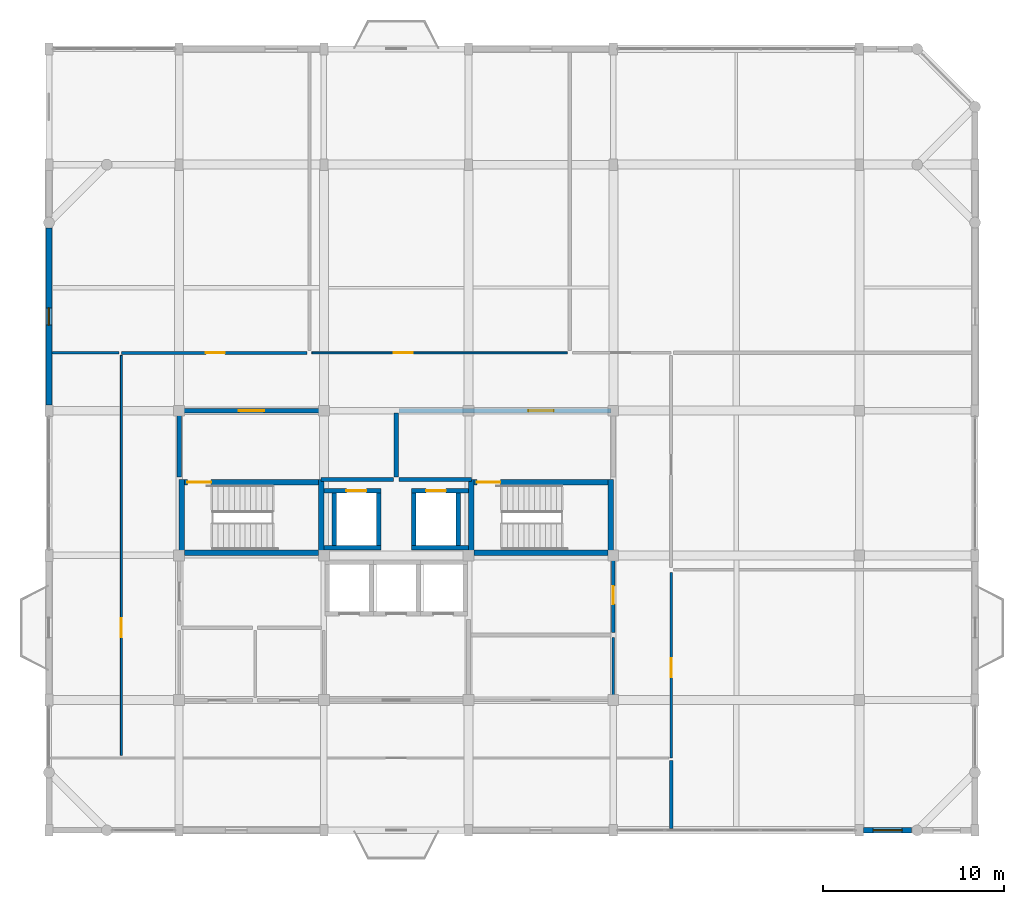
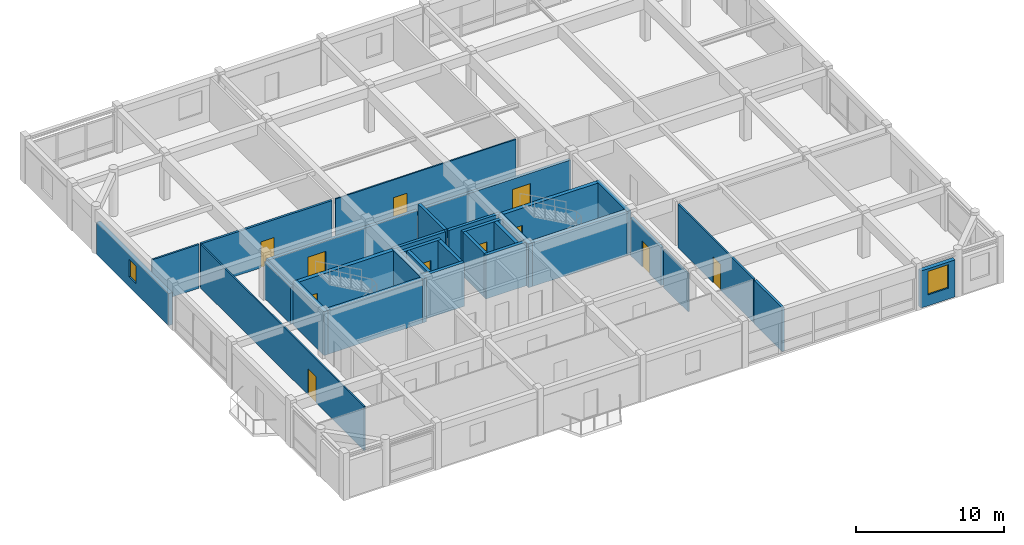
# One storey, part 11 of 13: 32 walls, 11 doors, 2 windows, 13 openings.
"""IFC4 building model written with IfcOpenShell, lengths in metres."""

from ifc_helpers import new_model, si_unit, direction, frame, frame_2d, origin, place, context, subcontext, project, spatial, rectangle, extrude, material, layer, layer_set, type_object, element, fill, save


model = new_model("IFC4")

# Units and contexts
model_context = context("Model", 3, precision=1e-05, world=origin(), true_north=direction((0.0, 1.0)))
body_context = subcontext(model_context, "Body", "Model", "MODEL_VIEW")
ifc_project = project(units=[si_unit("LENGTHUNIT", "METRE"), si_unit("AREAUNIT", "SQUARE_METRE"), si_unit("VOLUMEUNIT", "CUBIC_METRE"), si_unit("PLANEANGLEUNIT", "RADIAN"), si_unit("MASSUNIT", "GRAM", prefix="KILO")], contexts=[model_context])

# Site, building, storey
site_placement = place(None, origin())
site = spatial("IfcSite", under=ifc_project, at=site_placement, CompositionType="ELEMENT")
building_placement = place(site_placement, origin())
building = spatial("IfcBuilding", under=site, at=building_placement, Name="Vellmiral Cinema and Media Centre", CompositionType="ELEMENT")
storey_placement = place(building_placement, frame((0.0, 0.0, 54.800048828125)))
storey = spatial("IfcBuildingStorey", under=building, at=storey_placement, Name="L13", CompositionType="ELEMENT", Elevation=54.800048828125)

# Wall, opening, door
ifc_material_1 = material(Name="Concrete C40/50", Category="concrete")
ifc_layer_1 = layer(ifc_material_1, 0.2099609375, Name="Concrete C40/50")
ifc_layer_set_1 = layer_set([ifc_layer_1], Name="Concrete C40/50")
wall_type_1 = type_object("IfcWallType", Name="WL-COMP-210", PredefinedType="SOLIDWALL", material=ifc_layer_set_1)
wall_1_placement = place(storey_placement, frame((148.0, 82.93994140625, 0.0), z_axis=(0.0, 0.0, 1.0), x_axis=(0.0, 1.0, 0.0)))
wall_1 = element("IfcWall", 1, at=wall_1_placement, inside=storey, type_object=wall_type_1, Name="Data Patch and Riser Room Wall E", PredefinedType="SOLIDWALL", context=body_context, shape_type="SweptSolid", body=[
    extrude(rectangle(XDim=4.1201171875, YDim=0.2099609375, at=frame_2d((2.06005859375, 0.0))), origin(), (0.0, 0.0, 1.0), 3.155029296875),
])
opening_1_placement = place(wall_1_placement, frame((1.56005859375, 0.0, 0.0)))
opening_1 = element("IfcOpeningElement", 2, at=opening_1_placement, cuts=wall_1, Name="Opening D-FD30B", PredefinedType="OPENING", context=body_context, shape_type="SweptSolid", body=[
    extrude(rectangle(XDim=1.0, YDim=2.14990234375, at=frame_2d((0.5, 1.074951171875))), frame((0.0, 0.116943359375, 0.0), z_axis=(0.0, -1.0, 0.0), x_axis=(1.0, 0.0, 0.0)), (0.0, 0.0, 1.0), 0.23388671875),
])
ifc_material_2 = material(Name="Steel Riser Fire Door", Category="steel")
door_type_1 = type_object("IfcDoorType", Name="DR-FD30-1000x2150", OperationType="NOTDEFINED", PredefinedType="DOOR", material=ifc_material_2)
door_1_placement = place(opening_1_placement, origin())
door_1 = element("IfcDoor", 3, at=door_1_placement, inside=storey, type_object=door_type_1, Name="Data Patch and Riser Room Door", OperationType="SINGLE_SWING_LEFT", OverallHeight=2.14990234375, OverallWidth=1.0, PredefinedType="DOOR", context=body_context, shape_type="SweptSolid", body=[
    extrude(rectangle(XDim=1.0, YDim=2.14990234375, at=frame_2d((0.5, 1.074951171875))), frame((0.0, 0.02490234375, 0.0), z_axis=(0.0, -1.0, 0.0), x_axis=(1.0, 0.0, 0.0)), (0.0, 0.0, 1.0), 0.050048828125),
])
fill(opening_1, door_1)

# Walls
ifc_material_3 = material(Name="Concrete C40/50", Category="concrete")
ifc_layer_2 = layer(ifc_material_3, 0.300048828125, Name="Concrete C40/50")
ifc_layer_set_2 = layer_set([ifc_layer_2], Name="Concrete C40/50")
wall_type_2 = type_object("IfcWallType", Name="WL-CORE-300", PredefinedType="SHEAR", material=ifc_layer_set_2)
for number, where, z_axis, x_axis, name in (
    (4, (124.14990234375, 87.199951171875, 0.0), (0.0, 0.0, 1.0), (0.0, 1.0, 0.0), "Stair Core Wall ST-T1 L13-W"),
    (5, (131.85009765625, 87.199951171875, 0.0), (0.0, 0.0, 1.0), (0.0, 1.0, 0.0), "Stair Core Wall ST-T1 L13-E"),
):
    element("IfcWall", number, at=place(storey_placement, frame(where, z_axis=z_axis, x_axis=x_axis)), inside=storey, type_object=wall_type_2, Name=name, PredefinedType="SHEAR", context=body_context, shape_type="SweptSolid", body=[
        extrude(rectangle(XDim=4.199951171875, YDim=0.300048828125, at=frame_2d((2.10009765625, 0.0))), origin(), (0.0, 0.0, 1.0), 3.619873046875),
    ])
wall_2_placement = place(storey_placement, frame((124.300048828125, 87.35009765625, 0.0), z_axis=(0.0, 0.0, 1.0), x_axis=(1.0, 0.0, 0.0)))
element("IfcWall", 6, at=wall_2_placement, inside=storey, type_object=wall_type_2, Name="Stair Core Wall ST-T1 L13-S", PredefinedType="SHEAR", context=body_context, shape_type="SweptSolid", body=[
    extrude(rectangle(XDim=7.39990234375, YDim=0.300048828125, at=frame_2d((3.699951171875, 0.0))), origin(), (0.0, 0.0, 1.0), 3.619873046875),
])

# Wall, opening, door
wall_3_placement = place(storey_placement, frame((124.300048828125, 91.25, 0.0), z_axis=(0.0, 0.0, 1.0), x_axis=(1.0, 0.0, 0.0)))
wall_3 = element("IfcWall", 7, at=wall_3_placement, inside=storey, type_object=wall_type_2, Name="Stair Core Wall ST-T1 L13-N", PredefinedType="SHEAR", context=body_context, shape_type="SweptSolid", body=[
    extrude(rectangle(XDim=7.39990234375, YDim=0.300048828125, at=frame_2d((3.699951171875, 0.0))), origin(), (0.0, 0.0, 1.0), 3.619873046875),
])
opening_2_placement = place(wall_3_placement, frame((0.159912109375, 0.0, 0.0)))
opening_2 = element("IfcOpeningElement", 8, at=opening_2_placement, cuts=wall_3, Name="Opening D-FD30A", PredefinedType="OPENING", context=body_context, shape_type="SweptSolid", body=[
    extrude(rectangle(XDim=1.300048828125, YDim=2.179931640625, at=frame_2d((0.64990234375, 1.08984375))), frame((0.0, 0.162109375, 0.0), z_axis=(0.0, -1.0, 0.0), x_axis=(1.0, 0.0, 0.0)), (0.0, 0.0, 1.0), 0.323974609375),
])
ifc_material_4 = material(Name="Steel Stair Fire Door", Category="steel")
door_type_2 = type_object("IfcDoorType", Name="DR-FD30-1300x2180", OperationType="NOTDEFINED", PredefinedType="DOOR", material=ifc_material_4)
door_2_placement = place(opening_2_placement, frame((1.300048828125, 0.0, 0.0), z_axis=(0.0, 0.0, 1.0), x_axis=(-1.0, 0.0, 0.0)))
door_2 = element("IfcDoor", 9, at=door_2_placement, inside=storey, type_object=door_type_2, Name="Protected Stair Door ST-T1 L13", OperationType="SINGLE_SWING_RIGHT", OverallHeight=2.179931640625, OverallWidth=1.300048828125, PredefinedType="DOOR", context=body_context, shape_type="SweptSolid", body=[
    extrude(rectangle(XDim=1.300048828125, YDim=2.179931640625, at=frame_2d((0.64990234375, 1.08984375))), frame((0.0, 0.02490234375, 0.0), z_axis=(0.0, -1.0, 0.0), x_axis=(1.0, 0.0, 0.0)), (0.0, 0.0, 1.0), 0.050048828125),
])
fill(opening_2, door_2)

# Walls
for number, where, z_axis, x_axis, name in (
    (10, (140.14990234375, 87.199951171875, 0.0), (0.0, 0.0, 1.0), (0.0, 1.0, 0.0), "Stair Core Wall ST-T2 L13-W"),
    (11, (147.85009765625, 87.199951171875, 0.0), (0.0, 0.0, 1.0), (0.0, 1.0, 0.0), "Stair Core Wall ST-T2 L13-E"),
):
    element("IfcWall", number, at=place(storey_placement, frame(where, z_axis=z_axis, x_axis=x_axis)), inside=storey, type_object=wall_type_2, Name=name, PredefinedType="SHEAR", context=body_context, shape_type="SweptSolid", body=[
        extrude(rectangle(XDim=4.199951171875, YDim=0.300048828125, at=frame_2d((2.10009765625, 0.0))), origin(), (0.0, 0.0, 1.0), 3.619873046875),
    ])
wall_4_placement = place(storey_placement, frame((140.300048828125, 87.35009765625, 0.0), z_axis=(0.0, 0.0, 1.0), x_axis=(1.0, 0.0, 0.0)))
element("IfcWall", 12, at=wall_4_placement, inside=storey, type_object=wall_type_2, Name="Stair Core Wall ST-T2 L13-S", PredefinedType="SHEAR", context=body_context, shape_type="SweptSolid", body=[
    extrude(rectangle(XDim=7.39990234375, YDim=0.300048828125, at=frame_2d((3.699951171875, 0.0))), origin(), (0.0, 0.0, 1.0), 3.619873046875),
])

# Wall, opening, door
wall_5_placement = place(storey_placement, frame((140.300048828125, 91.25, 0.0), z_axis=(0.0, 0.0, 1.0), x_axis=(1.0, 0.0, 0.0)))
wall_5 = element("IfcWall", 13, at=wall_5_placement, inside=storey, type_object=wall_type_2, Name="Stair Core Wall ST-T2 L13-N", PredefinedType="SHEAR", context=body_context, shape_type="SweptSolid", body=[
    extrude(rectangle(XDim=7.39990234375, YDim=0.300048828125, at=frame_2d((3.699951171875, 0.0))), origin(), (0.0, 0.0, 1.0), 3.619873046875),
])
opening_3_placement = place(wall_5_placement, frame((0.159912109375, 0.0, 0.0)))
opening_3 = element("IfcOpeningElement", 14, at=opening_3_placement, cuts=wall_5, Name="Opening D-FD30A", PredefinedType="OPENING", context=body_context, shape_type="SweptSolid", body=[
    extrude(rectangle(XDim=1.300048828125, YDim=2.179931640625, at=frame_2d((0.64990234375, 1.08984375))), frame((0.0, 0.162109375, 0.0), z_axis=(0.0, -1.0, 0.0), x_axis=(1.0, 0.0, 0.0)), (0.0, 0.0, 1.0), 0.323974609375),
])
door_3_placement = place(opening_3_placement, frame((1.300048828125, 0.0, 0.0), z_axis=(0.0, 0.0, 1.0), x_axis=(-1.0, 0.0, 0.0)))
door_3 = element("IfcDoor", 15, at=door_3_placement, inside=storey, type_object=door_type_2, Name="Protected Stair Door ST-T2 L13", OperationType="SINGLE_SWING_RIGHT", OverallHeight=2.179931640625, OverallWidth=1.300048828125, PredefinedType="DOOR", context=body_context, shape_type="SweptSolid", body=[
    extrude(rectangle(XDim=1.300048828125, YDim=2.179931640625, at=frame_2d((0.64990234375, 1.08984375))), frame((0.0, 0.02490234375, 0.0), z_axis=(0.0, -1.0, 0.0), x_axis=(1.0, 0.0, 0.0)), (0.0, 0.0, 1.0), 0.050048828125),
])
fill(opening_3, door_3)

# Wall, opening, window
ifc_material_5 = material(Name="Polychrome Glazed Ceramic Cladding", Category="masonry")
ifc_layer_3 = layer(ifc_material_5, 0.320068359375, Name="Polychrome Glazed Ceramic Cladding")
ifc_layer_set_3 = layer_set([ifc_layer_3], Name="Polychrome Glazed Ceramic Cladding")
wall_type_3 = type_object("IfcWallType", Name="WL-EXT-BRICK-320", PredefinedType="SOLIDWALL", material=ifc_layer_set_3)
wall_6_placement = place(storey_placement, frame((161.824951171875, 72.0, 0.0), z_axis=(0.0, 0.0, 1.0), x_axis=(1.0, 0.0, 0.0)))
wall_6 = element("IfcWall", 16, at=wall_6_placement, inside=storey, type_object=wall_type_3, Name="Exterior Facade Wall L13-007", PredefinedType="SOLIDWALL", context=body_context, shape_type="SweptSolid", body=[
    extrude(rectangle(XDim=2.675048828125, YDim=0.320068359375, at=frame_2d((1.33740234375, 0.0))), origin(), (0.0, 0.0, 1.0), 3.06005859375),
])
opening_4_placement = place(wall_6_placement, frame((0.53759765625, 0.0, 0.89990234375)))
opening_4 = element("IfcOpeningElement", 17, at=opening_4_placement, cuts=wall_6, Name="Opening WN-05", PredefinedType="OPENING", context=body_context, shape_type="SweptSolid", body=[
    extrude(rectangle(XDim=1.60009765625, YDim=1.949951171875, at=frame_2d((0.800048828125, 0.97509765625))), frame((0.0, 0.171875, 0.0), z_axis=(0.0, -1.0, 0.0), x_axis=(1.0, 0.0, 0.0)), (0.0, 0.0, 1.0), 0.343994140625),
])
ifc_material_6 = material(Name="Thermally Broken Aluminium Triple Glazing", Category="aluminium")
window_type_1 = type_object("IfcWindowType", Name="WN-1600x1950", PartitioningType="DOUBLE_PANEL_VERTICAL", PredefinedType="WINDOW", material=ifc_material_6)
window_1_placement = place(opening_4_placement, origin())
window_1 = element("IfcWindow", 18, at=window_1_placement, inside=storey, type_object=window_type_1, Name="Window L13-007", OverallHeight=1.949951171875, OverallWidth=1.60009765625, PartitioningType="DOUBLE_PANEL_VERTICAL", PredefinedType="WINDOW", context=body_context, shape_type="SweptSolid", body=[
    extrude(rectangle(XDim=1.60009765625, YDim=1.949951171875, at=frame_2d((0.800048828125, 0.97509765625))), frame((0.0, 0.030029296875, 0.0), z_axis=(0.0, -1.0, 0.0), x_axis=(1.0, 0.0, 0.0)), (0.0, 0.0, 1.0), 0.06005859375),
])
fill(opening_4, window_1)

wall_7_placement = place(storey_placement, frame((116.800048828125, 105.300048828125, 0.0), z_axis=(0.0, 0.0, 1.0), x_axis=(0.0, -1.0, 0.0)))
wall_7 = element("IfcWall", 19, at=wall_7_placement, inside=storey, type_object=wall_type_3, Name="Exterior Facade Wall L13-025", PredefinedType="SOLIDWALL", context=body_context, shape_type="SweptSolid", body=[
    extrude(rectangle(XDim=9.775146484375, YDim=0.320068359375, at=frame_2d((4.8876953125, 0.0))), origin(), (0.0, 0.0, 1.0), 2.64501953125),
])
opening_5_placement = place(wall_7_placement, frame((4.41259765625, 0.0, 0.800048828125)))
opening_5 = element("IfcOpeningElement", 20, at=opening_5_placement, cuts=wall_7, Name="Opening WN-12", PredefinedType="OPENING", context=body_context, shape_type="SweptSolid", body=[
    extrude(rectangle(XDim=0.949951171875, YDim=1.449951171875, at=frame_2d((0.47509765625, 0.72509765625))), frame((0.0, 0.171875, 0.0), z_axis=(0.0, -1.0, 0.0), x_axis=(1.0, 0.0, 0.0)), (0.0, 0.0, 1.0), 0.343994140625),
])
ifc_material_7 = material(Name="Thermally Broken Aluminium Triple Glazing", Category="aluminium")
window_type_2 = type_object("IfcWindowType", Name="WN-0950x1450", PartitioningType="SINGLE_PANEL", PredefinedType="WINDOW", material=ifc_material_7)
window_2_placement = place(opening_5_placement, origin())
window_2 = element("IfcWindow", 21, at=window_2_placement, inside=storey, type_object=window_type_2, Name="Window L13-025", OverallHeight=1.449951171875, OverallWidth=0.949951171875, PartitioningType="SINGLE_PANEL", PredefinedType="WINDOW", context=body_context, shape_type="SweptSolid", body=[
    extrude(rectangle(XDim=0.949951171875, YDim=1.449951171875, at=frame_2d((0.47509765625, 0.72509765625))), frame((0.0, 0.030029296875, 0.0), z_axis=(0.0, -1.0, 0.0), x_axis=(1.0, 0.0, 0.0)), (0.0, 0.0, 1.0), 0.06005859375),
])
fill(opening_5, window_2)

# Wall
ifc_material_8 = material(Name="Concrete C40/50", Category="concrete")
ifc_layer_4 = layer(ifc_material_8, 0.22998046875, Name="Concrete C40/50")
ifc_layer_set_4 = layer_set([ifc_layer_4], Name="Concrete C40/50")
wall_type_4 = type_object("IfcWallType", Name="WL-FFL-230", PredefinedType="SOLIDWALL", material=ifc_layer_set_4)
wall_8_placement = place(storey_placement, frame((131.840087890625, 91.39990234375, 0.0), z_axis=(0.0, 0.0, 1.0), x_axis=(1.0, 0.0, 0.0)))
element("IfcWall", 22, at=wall_8_placement, inside=storey, type_object=wall_type_4, Name="Firefighting Lobby West Wall S", PredefinedType="SOLIDWALL", context=body_context, shape_type="SweptSolid", body=[
    extrude(rectangle(XDim=4.02001953125, YDim=0.22998046875, at=frame_2d((2.010009765625, 0.0))), origin(), (0.0, 0.0, 1.0), 3.619873046875),
])

# Wall, opening, door
wall_9_placement = place(storey_placement, frame((124.139892578125, 95.199951171875, 0.0), z_axis=(0.0, 0.0, 1.0), x_axis=(1.0, 0.0, 0.0)))
wall_9 = element("IfcWall", 23, at=wall_9_placement, inside=storey, type_object=wall_type_4, Name="Firefighting Lobby West Wall N", PredefinedType="SOLIDWALL", context=body_context, shape_type="SweptSolid", body=[
    extrude(rectangle(XDim=11.72021484375, YDim=0.22998046875, at=frame_2d((5.860107421875, 0.0))), origin(), (0.0, 0.0, 1.0), 3.054931640625),
])
opening_6_placement = place(wall_9_placement, frame((3.159912109375, 0.0, 0.0)))
opening_6 = element("IfcOpeningElement", 24, at=opening_6_placement, cuts=wall_9, Name="Opening D-FD60B", PredefinedType="OPENING", context=body_context, shape_type="SweptSolid", body=[
    extrude(rectangle(XDim=1.39990234375, YDim=2.199951171875, at=frame_2d((0.699951171875, 1.10009765625))), frame((0.0, 0.126953125, 0.0), z_axis=(0.0, -1.0, 0.0), x_axis=(1.0, 0.0, 0.0)), (0.0, 0.0, 1.0), 0.25390625),
])
ifc_material_9 = material(Name="Steel Fire Door", Category="steel")
door_type_3 = type_object("IfcDoorType", Name="DR-FD60-1400x2200", OperationType="NOTDEFINED", PredefinedType="DOOR", material=ifc_material_9)
door_4_placement = place(opening_6_placement, frame((1.39990234375, 0.0, 0.0), z_axis=(0.0, 0.0, 1.0), x_axis=(-1.0, 0.0, 0.0)))
door_4 = element("IfcDoor", 25, at=door_4_placement, inside=storey, type_object=door_type_3, Name="Firefighting Lobby West Door", OperationType="SINGLE_SWING_RIGHT", OverallHeight=2.199951171875, OverallWidth=1.39990234375, PredefinedType="DOOR", context=body_context, shape_type="SweptSolid", body=[
    extrude(rectangle(XDim=1.39990234375, YDim=2.199951171875, at=frame_2d((0.699951171875, 1.10009765625))), frame((0.0, 0.02490234375, 0.0), z_axis=(0.0, -1.0, 0.0), x_axis=(1.0, 0.0, 0.0)), (0.0, 0.0, 1.0), 0.050048828125),
])
fill(opening_6, door_4)

# Walls
wall_10_placement = place(storey_placement, frame((124.0, 91.5400390625, 0.0), z_axis=(0.0, 0.0, 1.0), x_axis=(0.0, 1.0, 0.0)))
element("IfcWall", 26, at=wall_10_placement, inside=storey, type_object=wall_type_4, Name="Firefighting Lobby West Wall W", PredefinedType="SOLIDWALL", context=body_context, shape_type="SweptSolid", body=[
    extrude(rectangle(XDim=3.52001953125, YDim=0.22998046875, at=frame_2d((1.760009765625, 0.0))), origin(), (0.0, 0.0, 1.0), 3.054931640625),
])
wall_11_placement = place(storey_placement, frame((136.0, 91.5400390625, 0.0), z_axis=(0.0, 0.0, 1.0), x_axis=(0.0, 1.0, 0.0)))
element("IfcWall", 27, at=wall_11_placement, inside=storey, type_object=wall_type_4, Name="Firefighting Lobby West Wall E", PredefinedType="SOLIDWALL", context=body_context, shape_type="SweptSolid", body=[
    extrude(rectangle(XDim=3.52001953125, YDim=0.22998046875, at=frame_2d((1.760009765625, 0.0))), origin(), (0.0, 0.0, 1.0), 3.619873046875),
])
wall_12_placement = place(storey_placement, frame((136.139892578125, 91.39990234375, 0.0), z_axis=(0.0, 0.0, 1.0), x_axis=(1.0, 0.0, 0.0)))
element("IfcWall", 28, at=wall_12_placement, inside=storey, type_object=wall_type_4, Name="Firefighting Lobby East Wall S", PredefinedType="SOLIDWALL", context=body_context, shape_type="SweptSolid", body=[
    extrude(rectangle(XDim=4.02001953125, YDim=0.22998046875, at=frame_2d((2.010009765625, 0.0))), origin(), (0.0, 0.0, 1.0), 3.619873046875),
])

# Wall, opening, door
wall_13_placement = place(storey_placement, frame((136.139892578125, 95.199951171875, 0.0), z_axis=(0.0, 0.0, 1.0), x_axis=(1.0, 0.0, 0.0)))
wall_13 = element("IfcWall", 29, at=wall_13_placement, inside=storey, type_object=wall_type_4, Name="Firefighting Lobby East Wall N", PredefinedType="SOLIDWALL", context=body_context, shape_type="SweptSolid", body=[
    extrude(rectangle(XDim=11.72021484375, YDim=0.22998046875, at=frame_2d((5.860107421875, 0.0))), origin(), (0.0, 0.0, 1.0), 3.054931640625),
])
opening_7_placement = place(wall_13_placement, frame((7.159912109375, 0.0, 0.0)))
opening_7 = element("IfcOpeningElement", 30, at=opening_7_placement, cuts=wall_13, Name="Opening D-FD60B", PredefinedType="OPENING", context=body_context, shape_type="SweptSolid", body=[
    extrude(rectangle(XDim=1.39990234375, YDim=2.199951171875, at=frame_2d((0.699951171875, 1.10009765625))), frame((0.0, 0.126953125, 0.0), z_axis=(0.0, -1.0, 0.0), x_axis=(1.0, 0.0, 0.0)), (0.0, 0.0, 1.0), 0.25390625),
])
door_5_placement = place(opening_7_placement, frame((1.39990234375, 0.0, 0.0), z_axis=(0.0, 0.0, 1.0), x_axis=(-1.0, 0.0, 0.0)))
door_5 = element("IfcDoor", 31, at=door_5_placement, inside=storey, type_object=door_type_3, Name="Firefighting Lobby East Door", OperationType="SINGLE_SWING_LEFT", OverallHeight=2.199951171875, OverallWidth=1.39990234375, PredefinedType="DOOR", context=body_context, shape_type="SweptSolid", body=[
    extrude(rectangle(XDim=1.39990234375, YDim=2.199951171875, at=frame_2d((0.699951171875, 1.10009765625))), frame((0.0, 0.02490234375, 0.0), z_axis=(0.0, -1.0, 0.0), x_axis=(1.0, 0.0, 0.0)), (0.0, 0.0, 1.0), 0.050048828125),
])
fill(opening_7, door_5)

ifc_material_10 = material(Name="Gypsum Plasterboard")
ifc_layer_5 = layer(ifc_material_10, 0.02490234375, Name="Gypsum Plasterboard", Category="gypsum")
ifc_material_11 = material(Name="Mineral Wool Acoustic Insulation", Category="insulation")
ifc_layer_6 = layer(ifc_material_11, 0.06005859375, Name="Mineral Wool Acoustic Insulation", Category="insulation")
ifc_layer_7 = layer(ifc_material_10, 0.02490234375, Name="Gypsum Plasterboard", Category="gypsum")
ifc_layer_set_5 = layer_set([ifc_layer_5, ifc_layer_6, ifc_layer_7], Name="Gypsum Plasterboard")
wall_type_5 = type_object("IfcWallType", Name="WL-PART-110", PredefinedType="PARTITIONING", material=ifc_layer_set_5)
wall_14_placement = place(storey_placement, frame((120.800048828125, 76.139892578125, 0.0), z_axis=(0.0, 0.0, 1.0), x_axis=(0.0, 1.0, 0.0)))
wall_14 = element("IfcWall", 32, at=wall_14_placement, inside=storey, type_object=wall_type_5, Name="West Mirador Office Wall E", PredefinedType="PARTITIONING", context=body_context, shape_type="SweptSolid", body=[
    extrude(rectangle(XDim=22.1201171875, YDim=0.110107421875, at=frame_2d((11.06005859375, 0.0))), origin(), (0.0, 0.0, 1.0), 3.619873046875),
])
opening_8_placement = place(wall_14_placement, frame((6.534912109375, 0.0, 0.0)))
opening_8 = element("IfcOpeningElement", 33, at=opening_8_placement, cuts=wall_14, Name="Opening D-I07", PredefinedType="OPENING", context=body_context, shape_type="SweptSolid", body=[
    extrude(rectangle(XDim=1.050048828125, YDim=2.14990234375, at=frame_2d((0.52490234375, 1.074951171875))), frame((0.0, 0.06689453125, 0.0), z_axis=(0.0, -1.0, 0.0), x_axis=(1.0, 0.0, 0.0)), (0.0, 0.0, 1.0), 0.134033203125),
])
ifc_material_12 = material(Name="Laminated Timber Door", Category="wood")
door_type_4 = type_object("IfcDoorType", Name="DR-INT-1050x2150", OperationType="NOTDEFINED", PredefinedType="DOOR", material=ifc_material_12)
door_6_placement = place(opening_8_placement, origin())
door_6 = element("IfcDoor", 34, at=door_6_placement, inside=storey, type_object=door_type_4, Name="West Mirador Office Door", OperationType="SINGLE_SWING_LEFT", OverallHeight=2.14990234375, OverallWidth=1.050048828125, PredefinedType="DOOR", context=body_context, shape_type="SweptSolid", body=[
    extrude(rectangle(XDim=1.050048828125, YDim=2.14990234375, at=frame_2d((0.52490234375, 1.074951171875))), frame((0.0, 0.02490234375, 0.0), z_axis=(0.0, -1.0, 0.0), x_axis=(1.0, 0.0, 0.0)), (0.0, 0.0, 1.0), 0.050048828125),
])
fill(opening_8, door_6)

wall_15_placement = place(storey_placement, frame((131.340087890625, 98.39990234375, 0.0), z_axis=(0.0, 0.0, 1.0), x_axis=(1.0, 0.0, 0.0)))
wall_15 = element("IfcWall", 35, at=wall_15_placement, inside=storey, type_object=wall_type_5, Name="North Film Commission Boardroom Wall S", PredefinedType="PARTITIONING", context=body_context, shape_type="SweptSolid", body=[
    extrude(rectangle(XDim=14.119873046875, YDim=0.110107421875, at=frame_2d((7.06005859375, 0.0))), origin(), (0.0, 0.0, 1.0), 3.619873046875),
])
opening_9_placement = place(wall_15_placement, frame((4.534912109375, 0.0, 0.0)))
opening_9 = element("IfcOpeningElement", 36, at=opening_9_placement, cuts=wall_15, Name="Opening D-I07", PredefinedType="OPENING", context=body_context, shape_type="SweptSolid", body=[
    extrude(rectangle(XDim=1.050048828125, YDim=2.14990234375, at=frame_2d((0.52490234375, 1.074951171875))), frame((0.0, 0.06689453125, 0.0), z_axis=(0.0, -1.0, 0.0), x_axis=(1.0, 0.0, 0.0)), (0.0, 0.0, 1.0), 0.134033203125),
])
door_7_placement = place(opening_9_placement, origin())
door_7 = element("IfcDoor", 37, at=door_7_placement, inside=storey, type_object=door_type_4, Name="North Film Commission Boardroom Door", OperationType="SINGLE_SWING_LEFT", OverallHeight=2.14990234375, OverallWidth=1.050048828125, PredefinedType="DOOR", context=body_context, shape_type="SweptSolid", body=[
    extrude(rectangle(XDim=1.050048828125, YDim=2.14990234375, at=frame_2d((0.52490234375, 1.074951171875))), frame((0.0, 0.02490234375, 0.0), z_axis=(0.0, -1.0, 0.0), x_axis=(1.0, 0.0, 0.0)), (0.0, 0.0, 1.0), 0.050048828125),
])
fill(opening_9, door_7)

# Wall
ifc_material_13 = material(Name="Gypsum Plasterboard")
ifc_layer_8 = layer(ifc_material_13, 0.02490234375, Name="Gypsum Plasterboard", Category="gypsum")
ifc_material_14 = material(Name="Mineral Wool Acoustic Insulation", Category="insulation")
ifc_layer_9 = layer(ifc_material_14, 0.080078125, Name="Mineral Wool Acoustic Insulation", Category="insulation")
ifc_layer_10 = layer(ifc_material_13, 0.02490234375, Name="Gypsum Plasterboard", Category="gypsum")
ifc_layer_set_6 = layer_set([ifc_layer_8, ifc_layer_9, ifc_layer_10], Name="Gypsum Plasterboard")
wall_type_6 = type_object("IfcWallType", Name="WL-PART-130", PredefinedType="PARTITIONING", material=ifc_layer_set_6)
wall_16_placement = place(storey_placement, frame((148.0, 79.340087890625, 0.0), z_axis=(0.0, 0.0, 1.0), x_axis=(0.0, 1.0, 0.0)))
element("IfcWall", 38, at=wall_16_placement, inside=storey, type_object=wall_type_6, Name="Print and Archive Copy Room Wall E", PredefinedType="PARTITIONING", context=body_context, shape_type="SweptSolid", body=[
    extrude(rectangle(XDim=3.31982421875, YDim=0.1298828125, at=frame_2d((1.659912109375, 0.0))), origin(), (0.0, 0.0, 1.0), 3.155029296875),
])

# Wall, opening, door
wall_17_placement = place(storey_placement, frame((151.199951171875, 76.0, 0.0), z_axis=(0.0, 0.0, 1.0), x_axis=(0.0, 1.0, 0.0)))
wall_17 = element("IfcWall", 39, at=wall_17_placement, inside=storey, type_object=wall_type_6, Name="East Film Commission Office 1 Wall W", PredefinedType="PARTITIONING", context=body_context, shape_type="SweptSolid", body=[
    extrude(rectangle(XDim=10.260009765625, YDim=0.1298828125, at=frame_2d((5.1298828125, 0.0))), origin(), (0.0, 0.0, 1.0), 3.619873046875),
])
opening_10_placement = place(wall_17_placement, frame((4.47509765625, 0.0, 0.0)))
opening_10 = element("IfcOpeningElement", 40, at=opening_10_placement, cuts=wall_17, Name="Opening D-I07", PredefinedType="OPENING", context=body_context, shape_type="SweptSolid", body=[
    extrude(rectangle(XDim=1.050048828125, YDim=2.14990234375, at=frame_2d((0.52490234375, 1.074951171875))), frame((0.0, 0.076904296875, 0.0), z_axis=(0.0, -1.0, 0.0), x_axis=(1.0, 0.0, 0.0)), (0.0, 0.0, 1.0), 0.15380859375),
])
door_8_placement = place(opening_10_placement, frame((1.050048828125, 0.0, 0.0), z_axis=(0.0, 0.0, 1.0), x_axis=(-1.0, 0.0, 0.0)))
door_8 = element("IfcDoor", 41, at=door_8_placement, inside=storey, type_object=door_type_4, Name="East Film Commission Office 1 Door", OperationType="SINGLE_SWING_RIGHT", OverallHeight=2.14990234375, OverallWidth=1.050048828125, PredefinedType="DOOR", context=body_context, shape_type="SweptSolid", body=[
    extrude(rectangle(XDim=1.050048828125, YDim=2.14990234375, at=frame_2d((0.52490234375, 1.074951171875))), frame((0.0, 0.02490234375, 0.0), z_axis=(0.0, -1.0, 0.0), x_axis=(1.0, 0.0, 0.0)), (0.0, 0.0, 1.0), 0.050048828125),
])
fill(opening_10, door_8)

# Wall
wall_18_placement = place(storey_placement, frame((116.97509765625, 98.39990234375, 0.0), z_axis=(0.0, 0.0, 1.0), x_axis=(1.0, 0.0, 0.0)))
element("IfcWall", 42, at=wall_18_placement, inside=storey, type_object=wall_type_6, Name="West Mirador Office Wall N", PredefinedType="PARTITIONING", context=body_context, shape_type="SweptSolid", body=[
    extrude(rectangle(XDim=3.684814453125, YDim=0.1298828125, at=frame_2d((1.84228515625, 0.0))), origin(), (0.0, 0.0, 1.0), 3.619873046875),
])

# Wall, opening, door
ifc_material_15 = material(Name="Gypsum Plasterboard")
ifc_layer_11 = layer(ifc_material_15, 0.02490234375, Name="Gypsum Plasterboard", Category="gypsum")
ifc_material_16 = material(Name="Mineral Wool Acoustic Insulation", Category="insulation")
ifc_layer_12 = layer(ifc_material_16, 0.1201171875, Name="Mineral Wool Acoustic Insulation", Category="insulation")
ifc_layer_13 = layer(ifc_material_15, 0.02490234375, Name="Gypsum Plasterboard", Category="gypsum")
ifc_layer_set_7 = layer_set([ifc_layer_11, ifc_layer_12, ifc_layer_13], Name="Gypsum Plasterboard")
wall_type_7 = type_object("IfcWallType", Name="WL-PART-170", PredefinedType="PARTITIONING", material=ifc_layer_set_7)
wall_19_placement = place(storey_placement, frame((120.800048828125, 98.39990234375, 0.0), z_axis=(0.0, 0.0, 1.0), x_axis=(1.0, 0.0, 0.0)))
wall_19 = element("IfcWall", 43, at=wall_19_placement, inside=storey, type_object=wall_type_7, Name="North Film Commission Suite West Wall S", PredefinedType="PARTITIONING", context=body_context, shape_type="SweptSolid", body=[
    extrude(rectangle(XDim=10.260009765625, YDim=0.169921875, at=frame_2d((5.1298828125, 0.0))), origin(), (0.0, 0.0, 1.0), 3.619873046875),
])
opening_11_placement = place(wall_19_placement, frame((4.675048828125, 0.0, 0.0)))
opening_11 = element("IfcOpeningElement", 44, at=opening_11_placement, cuts=wall_19, Name="Opening D-I07", PredefinedType="OPENING", context=body_context, shape_type="SweptSolid", body=[
    extrude(rectangle(XDim=1.050048828125, YDim=2.14990234375, at=frame_2d((0.52490234375, 1.074951171875))), frame((0.0, 0.096923828125, 0.0), z_axis=(0.0, -1.0, 0.0), x_axis=(1.0, 0.0, 0.0)), (0.0, 0.0, 1.0), 0.19384765625),
])
door_9_placement = place(opening_11_placement, origin())
door_9 = element("IfcDoor", 45, at=door_9_placement, inside=storey, type_object=door_type_4, Name="North Film Commission Suite West Door", OperationType="SINGLE_SWING_LEFT", OverallHeight=2.14990234375, OverallWidth=1.050048828125, PredefinedType="DOOR", context=body_context, shape_type="SweptSolid", body=[
    extrude(rectangle(XDim=1.050048828125, YDim=2.14990234375, at=frame_2d((0.52490234375, 1.074951171875))), frame((0.0, 0.02490234375, 0.0), z_axis=(0.0, -1.0, 0.0), x_axis=(1.0, 0.0, 0.0)), (0.0, 0.0, 1.0), 0.050048828125),
])
fill(opening_11, door_9)

# Walls
ifc_material_17 = material(Name="Gypsum Plasterboard")
ifc_layer_14 = layer(ifc_material_17, 0.02490234375, Name="Gypsum Plasterboard", Category="gypsum")
ifc_material_18 = material(Name="Mineral Wool Acoustic Insulation", Category="insulation")
ifc_layer_15 = layer(ifc_material_18, 0.139892578125, Name="Mineral Wool Acoustic Insulation", Category="insulation")
ifc_layer_16 = layer(ifc_material_17, 0.02490234375, Name="Gypsum Plasterboard", Category="gypsum")
ifc_layer_set_8 = layer_set([ifc_layer_14, ifc_layer_15, ifc_layer_16], Name="Gypsum Plasterboard")
wall_type_8 = type_object("IfcWallType", Name="WL-PART-190", PredefinedType="PARTITIONING", material=ifc_layer_set_8)
wall_20_placement = place(storey_placement, frame((151.199951171875, 72.094970703125, 0.0), z_axis=(0.0, 0.0, 1.0), x_axis=(0.0, 1.0, 0.0)))
element("IfcWall", 46, at=wall_20_placement, inside=storey, type_object=wall_type_8, Name="South Rhine Gallery Lounge Wall E", PredefinedType="PARTITIONING", context=body_context, shape_type="SweptSolid", body=[
    extrude(rectangle(XDim=3.76513671875, YDim=0.18994140625, at=frame_2d((1.882568359375, 0.0))), origin(), (0.0, 0.0, 1.0), 3.619873046875),
])
ifc_material_19 = material(Name="Concrete C40/50", Category="concrete")
ifc_layer_17 = layer(ifc_material_19, 0.25, Name="Concrete C40/50")
ifc_layer_set_9 = layer_set([ifc_layer_17], Name="Concrete C40/50")
wall_type_9 = type_object("IfcWallType", Name="WL-SHAFT-250", PredefinedType="SHEAR", material=ifc_layer_set_9)
wall_21_placement = place(storey_placement, frame((132.0, 87.625, 0.0), z_axis=(0.0, 0.0, 1.0), x_axis=(1.0, 0.0, 0.0)))
element("IfcWall", 47, at=wall_21_placement, inside=storey, type_object=wall_type_9, Name="Lift Shaft Wall LF-FF1 L13-S", PredefinedType="SHEAR", context=body_context, shape_type="SweptSolid", body=[
    extrude(rectangle(XDim=3.14990234375, YDim=0.25, at=frame_2d((1.574951171875, 0.0))), origin(), (0.0, 0.0, 1.0), 3.619873046875),
])

# Wall, opening, door
wall_22_placement = place(storey_placement, frame((132.0, 90.77490234375, 0.0), z_axis=(0.0, 0.0, 1.0), x_axis=(1.0, 0.0, 0.0)))
wall_22 = element("IfcWall", 48, at=wall_22_placement, inside=storey, type_object=wall_type_9, Name="Lift Shaft Wall LF-FF1 L13-N", PredefinedType="SHEAR", context=body_context, shape_type="SweptSolid", body=[
    extrude(rectangle(XDim=3.14990234375, YDim=0.25, at=frame_2d((1.574951171875, 0.0))), origin(), (0.0, 0.0, 1.0), 3.619873046875),
])
opening_12_placement = place(wall_22_placement, frame((1.25, 0.0, 0.0)))
opening_12 = element("IfcOpeningElement", 49, at=opening_12_placement, cuts=wall_22, Name="Opening LD-01", PredefinedType="OPENING", context=body_context, shape_type="SweptSolid", body=[
    extrude(rectangle(XDim=1.10009765625, YDim=2.14990234375, at=frame_2d((0.550048828125, 1.074951171875))), frame((0.0, 0.136962890625, 0.0), z_axis=(0.0, -1.0, 0.0), x_axis=(1.0, 0.0, 0.0)), (0.0, 0.0, 1.0), 0.27392578125),
])
ifc_material_20 = material(Name="Stainless Steel Lift Landing Door", Category="steel")
door_type_5 = type_object("IfcDoorType", Name="DR-LIFT-1100x2150", OperationType="SLIDING_TO_LEFT", PredefinedType="DOOR", material=ifc_material_20)
door_10_placement = place(opening_12_placement, origin())
door_10 = element("IfcDoor", 50, at=door_10_placement, inside=storey, type_object=door_type_5, Name="Lift Landing Door LF-FF1 L13", OperationType="SLIDING_TO_LEFT", OverallHeight=2.14990234375, OverallWidth=1.10009765625, PredefinedType="DOOR", context=body_context, shape_type="SweptSolid", body=[
    extrude(rectangle(XDim=1.10009765625, YDim=2.14990234375, at=frame_2d((0.550048828125, 1.074951171875))), frame((0.0, 0.02490234375, 0.0), z_axis=(0.0, -1.0, 0.0), x_axis=(1.0, 0.0, 0.0)), (0.0, 0.0, 1.0), 0.050048828125),
])
fill(opening_12, door_10)

# Walls
for number, where, z_axis, x_axis, name in (
    (51, (132.574951171875, 87.75, 0.0), (0.0, 0.0, 1.0), (0.0, 1.0, 0.0), "Lift Shaft Wall LF-FF1 L13-W"),
    (52, (135.02490234375, 87.75, 0.0), (0.0, 0.0, 1.0), (0.0, 1.0, 0.0), "Lift Shaft Wall LF-FF1 L13-E"),
):
    element("IfcWall", number, at=place(storey_placement, frame(where, z_axis=z_axis, x_axis=x_axis)), inside=storey, type_object=wall_type_9, Name=name, PredefinedType="SHEAR", context=body_context, shape_type="SweptSolid", body=[
        extrude(rectangle(XDim=2.89990234375, YDim=0.25, at=frame_2d((1.449951171875, 0.0))), origin(), (0.0, 0.0, 1.0), 3.619873046875),
    ])
wall_23_placement = place(storey_placement, frame((136.85009765625, 87.625, 0.0), z_axis=(0.0, 0.0, 1.0), x_axis=(1.0, 0.0, 0.0)))
element("IfcWall", 53, at=wall_23_placement, inside=storey, type_object=wall_type_9, Name="Lift Shaft Wall LF-FF2 L13-S", PredefinedType="SHEAR", context=body_context, shape_type="SweptSolid", body=[
    extrude(rectangle(XDim=3.14990234375, YDim=0.25, at=frame_2d((1.574951171875, 0.0))), origin(), (0.0, 0.0, 1.0), 3.619873046875),
])

# Wall, opening, door
wall_24_placement = place(storey_placement, frame((136.85009765625, 90.77490234375, 0.0), z_axis=(0.0, 0.0, 1.0), x_axis=(1.0, 0.0, 0.0)))
wall_24 = element("IfcWall", 54, at=wall_24_placement, inside=storey, type_object=wall_type_9, Name="Lift Shaft Wall LF-FF2 L13-N", PredefinedType="SHEAR", context=body_context, shape_type="SweptSolid", body=[
    extrude(rectangle(XDim=3.14990234375, YDim=0.25, at=frame_2d((1.574951171875, 0.0))), origin(), (0.0, 0.0, 1.0), 3.619873046875),
])
opening_13_placement = place(wall_24_placement, frame((0.800048828125, 0.0, 0.0)))
opening_13 = element("IfcOpeningElement", 55, at=opening_13_placement, cuts=wall_24, Name="Opening LD-01", PredefinedType="OPENING", context=body_context, shape_type="SweptSolid", body=[
    extrude(rectangle(XDim=1.10009765625, YDim=2.14990234375, at=frame_2d((0.550048828125, 1.074951171875))), frame((0.0, 0.136962890625, 0.0), z_axis=(0.0, -1.0, 0.0), x_axis=(1.0, 0.0, 0.0)), (0.0, 0.0, 1.0), 0.27392578125),
])
door_11_placement = place(opening_13_placement, origin())
door_11 = element("IfcDoor", 56, at=door_11_placement, inside=storey, type_object=door_type_5, Name="Lift Landing Door LF-FF2 L13", OperationType="SLIDING_TO_LEFT", OverallHeight=2.14990234375, OverallWidth=1.10009765625, PredefinedType="DOOR", context=body_context, shape_type="SweptSolid", body=[
    extrude(rectangle(XDim=1.10009765625, YDim=2.14990234375, at=frame_2d((0.550048828125, 1.074951171875))), frame((0.0, 0.02490234375, 0.0), z_axis=(0.0, -1.0, 0.0), x_axis=(1.0, 0.0, 0.0)), (0.0, 0.0, 1.0), 0.050048828125),
])
fill(opening_13, door_11)

# Walls
for number, where, z_axis, x_axis, name in (
    (57, (136.97509765625, 87.75, 0.0), (0.0, 0.0, 1.0), (0.0, 1.0, 0.0), "Lift Shaft Wall LF-FF2 L13-W"),
    (58, (139.425048828125, 87.75, 0.0), (0.0, 0.0, 1.0), (0.0, 1.0, 0.0), "Lift Shaft Wall LF-FF2 L13-E"),
):
    element("IfcWall", number, at=place(storey_placement, frame(where, z_axis=z_axis, x_axis=x_axis)), inside=storey, type_object=wall_type_9, Name=name, PredefinedType="SHEAR", context=body_context, shape_type="SweptSolid", body=[
        extrude(rectangle(XDim=2.89990234375, YDim=0.25, at=frame_2d((1.449951171875, 0.0))), origin(), (0.0, 0.0, 1.0), 3.619873046875),
    ])

save(model, "model.ifc")
